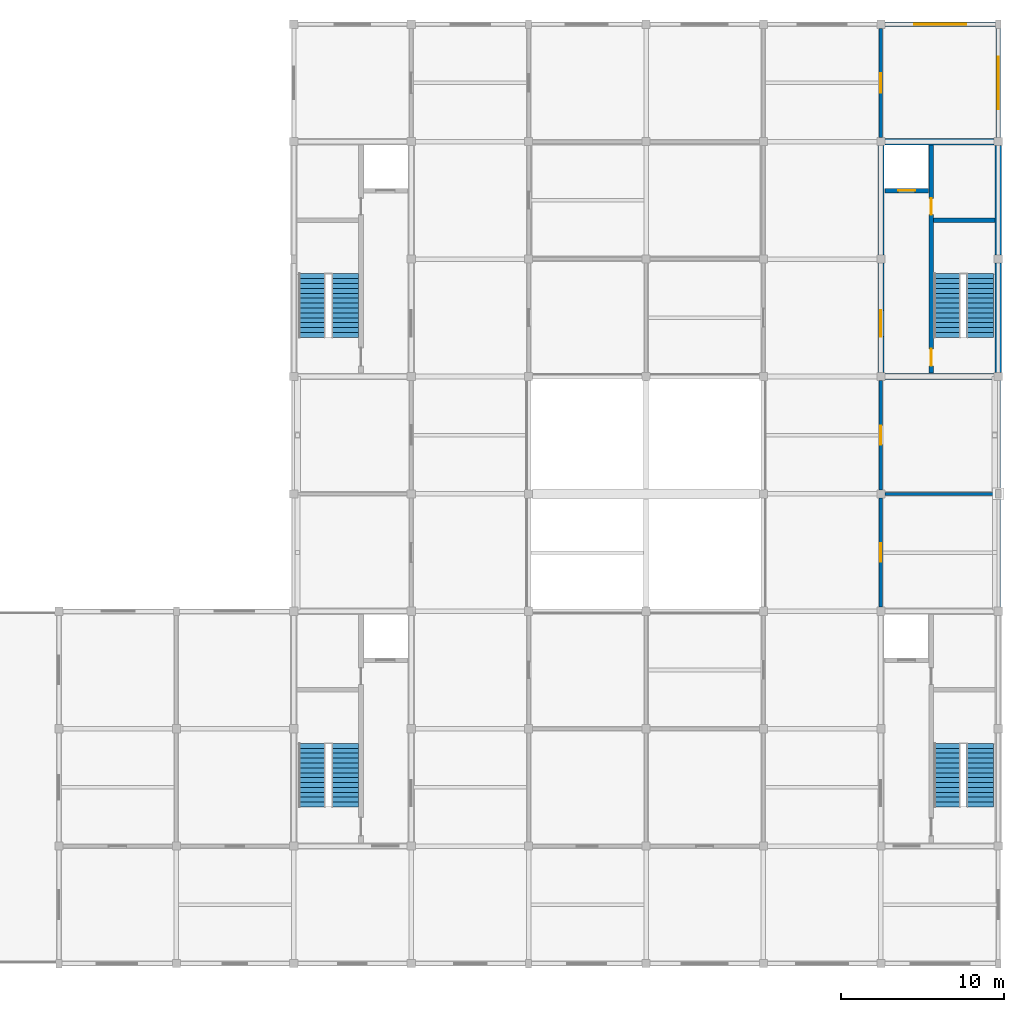
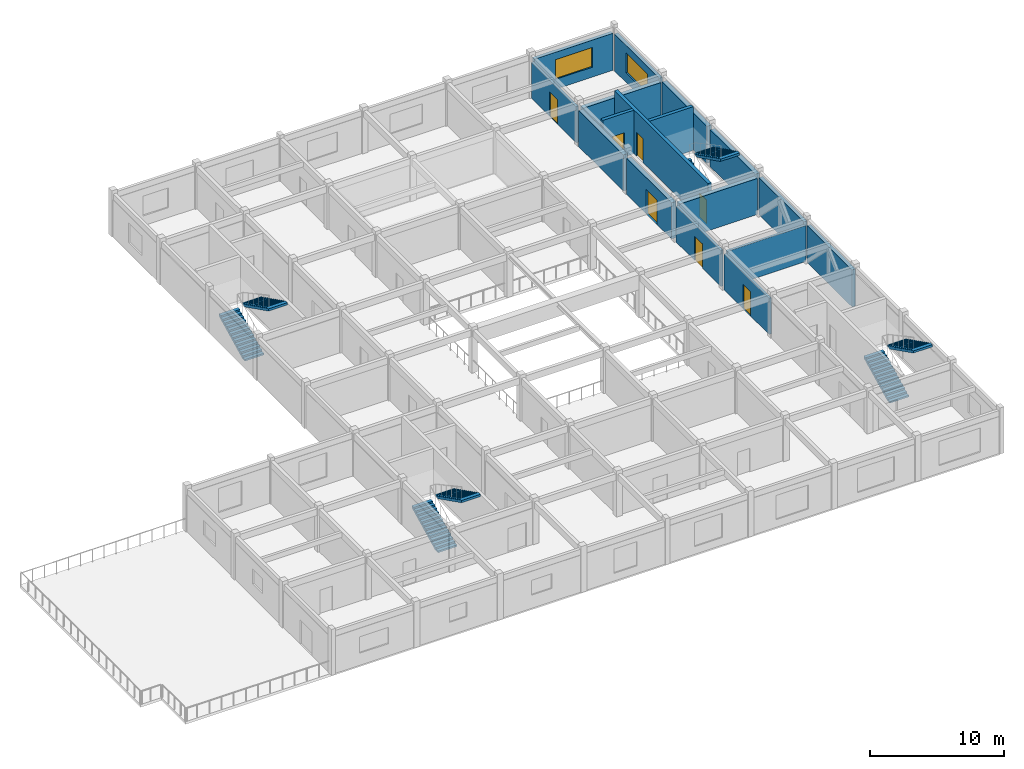
# One storey, part 6 of 7: 17 walls, 8 stair flights, 7 doors, 2 windows, 9 openings, 4 elements without a shape of their own.
"""IFC4 building model written with IfcOpenShell, lengths in metres."""

from ifc_helpers import new_model, si_unit, direction, frame, frame_2d, origin, place, context, subcontext, project, spatial, polyline, rectangle, outline, extrude, material, layer, layer_set, type_object, element, fill, aggregate, save


model = new_model("IFC4")

# Units and contexts
model_context = context("Model", 3, precision=1e-05, world=origin(), true_north=direction((0.0, 1.0)))
body_context = subcontext(model_context, "Body", "Model", "MODEL_VIEW")
ifc_project = project(units=[si_unit("LENGTHUNIT", "METRE"), si_unit("AREAUNIT", "SQUARE_METRE"), si_unit("VOLUMEUNIT", "CUBIC_METRE"), si_unit("PLANEANGLEUNIT", "RADIAN"), si_unit("MASSUNIT", "GRAM", prefix="KILO")], contexts=[model_context])

# Site, building, storey
site_placement = place(None, origin())
site = spatial("IfcSite", under=ifc_project, at=site_placement, CompositionType="ELEMENT")
building_placement = place(site_placement, origin())
building = spatial("IfcBuilding", under=site, at=building_placement, Name="Cendaluz Park School", CompositionType="ELEMENT")
storey_placement = place(building_placement, frame((0.0, 0.0, 46.800048828125)))
storey = spatial("IfcBuildingStorey", under=building, at=storey_placement, Name="L11", CompositionType="ELEMENT", Elevation=46.800048828125)

# Wall
ifc_material_1 = material(Name="Gypsum Plasterboard on Cold-Formed Stud", Category="gypsum")
ifc_layer_1 = layer(ifc_material_1, 0.199951171875)
ifc_layer_set_1 = layer_set([ifc_layer_1], Name="Gypsum Plasterboard on Cold-Formed Stud")
wall_type_1 = type_object("IfcWallType", Name="W-AC20", PredefinedType="PARTITIONING", material=ifc_layer_set_1)
wall_1_placement = place(storey_placement, frame((101.050048828125, 36.0, 0.0), z_axis=(0.0, 0.0, 1.0), x_axis=(1.0, 0.0, 0.0)))
element("IfcWall", 1, at=wall_1_placement, inside=storey, type_object=wall_type_1, Name="WL-FL-BN1", PredefinedType="PARTITIONING", context=body_context, shape_type="SweptSolid", body=[
    extrude(rectangle(XDim=6.77001953125, YDim=0.199951171875, at=frame_2d((3.385009765625, 0.0))), origin(), (0.0, 0.0, 1.0), 3.2900390625),
])

# Wall, opening, door
wall_2_placement = place(storey_placement, frame((100.800048828125, 29.050048828125, 0.0), z_axis=(0.0, 0.0, 1.0), x_axis=(0.0, 1.0, 0.0)))
wall_2 = element("IfcWall", 2, at=wall_2_placement, inside=storey, type_object=wall_type_1, Name="WL-FL-BN2", PredefinedType="PARTITIONING", context=body_context, shape_type="SweptSolid", body=[
    extrude(rectangle(XDim=6.699951171875, YDim=0.199951171875, at=frame_2d((3.35009765625, 0.0))), origin(), (0.0, 0.0, 1.0), 3.2900390625),
])
opening_1_placement = place(wall_2_placement, frame((2.7900390625, 0.0, 0.0)))
opening_1 = element("IfcOpeningElement", 3, at=opening_1_placement, cuts=wall_2, Name="Opening DCL-06", PredefinedType="OPENING", context=body_context, shape_type="SweptSolid", body=[
    extrude(rectangle(XDim=1.1201171875, YDim=2.199951171875, at=frame_2d((0.56005859375, 1.10009765625))), frame((0.0, 0.112060546875, 0.0), z_axis=(0.0, -1.0, 0.0), x_axis=(1.0, 0.0, 0.0)), (0.0, 0.0, 1.0), 0.223876953125),
])
ifc_material_2 = material(Name="Solid Core Hardwood", Category="wood")
door_type_1 = type_object("IfcDoorType", Name="DCL-06", OperationType="NOTDEFINED", PredefinedType="DOOR", material=ifc_material_2)
door_1_placement = place(opening_1_placement, frame((1.1201171875, 0.0, 0.0), z_axis=(0.0, 0.0, 1.0), x_axis=(-1.0, 0.0, 0.0)))
door_1 = element("IfcDoor", 4, at=door_1_placement, inside=storey, type_object=door_type_1, Name="D-L11-033", OperationType="SINGLE_SWING_LEFT", OverallHeight=2.199951171875, OverallWidth=1.1201171875, PredefinedType="DOOR", context=body_context, shape_type="SweptSolid", body=[
    extrude(rectangle(XDim=1.1201171875, YDim=2.199951171875, at=frame_2d((0.56005859375, 1.10009765625))), frame((0.0, 0.02490234375, 0.0), z_axis=(0.0, -1.0, 0.0), x_axis=(1.0, 0.0, 0.0)), (0.0, 0.0, 1.0), 0.050048828125),
])
fill(opening_1, door_1)

wall_3_placement = place(storey_placement, frame((100.800048828125, 36.25, 0.0), z_axis=(0.0, 0.0, 1.0), x_axis=(0.0, 1.0, 0.0)))
wall_3 = element("IfcWall", 5, at=wall_3_placement, inside=storey, type_object=wall_type_1, Name="WL-FL-BN3", PredefinedType="PARTITIONING", context=body_context, shape_type="SweptSolid", body=[
    extrude(rectangle(XDim=6.699951171875, YDim=0.199951171875, at=frame_2d((3.35009765625, 0.0))), origin(), (0.0, 0.0, 1.0), 3.2900390625),
])
opening_2_placement = place(wall_3_placement, frame((2.77001953125, 0.0, 0.0)))
opening_2 = element("IfcOpeningElement", 6, at=opening_2_placement, cuts=wall_3, Name="Opening DCL-07", PredefinedType="OPENING", context=body_context, shape_type="SweptSolid", body=[
    extrude(rectangle(XDim=1.159912109375, YDim=2.219970703125, at=frame_2d((0.580078125, 1.10986328125))), frame((0.0, 0.112060546875, 0.0), z_axis=(0.0, -1.0, 0.0), x_axis=(1.0, 0.0, 0.0)), (0.0, 0.0, 1.0), 0.223876953125),
])
door_type_2 = type_object("IfcDoorType", Name="DCL-07", OperationType="NOTDEFINED", PredefinedType="DOOR", material=ifc_material_2)
door_2_placement = place(opening_2_placement, frame((1.159912109375, 0.0, 0.0), z_axis=(0.0, 0.0, 1.0), x_axis=(-1.0, 0.0, 0.0)))
door_2 = element("IfcDoor", 7, at=door_2_placement, inside=storey, type_object=door_type_2, Name="D-L11-034", OperationType="SINGLE_SWING_RIGHT", OverallHeight=2.219970703125, OverallWidth=1.159912109375, PredefinedType="DOOR", context=body_context, shape_type="SweptSolid", body=[
    extrude(rectangle(XDim=1.159912109375, YDim=2.219970703125, at=frame_2d((0.580078125, 1.10986328125))), frame((0.0, 0.02490234375, 0.0), z_axis=(0.0, -1.0, 0.0), x_axis=(1.0, 0.0, 0.0)), (0.0, 0.0, 1.0), 0.050048828125),
])
fill(opening_2, door_2)

wall_4_placement = place(storey_placement, frame((100.800048828125, 57.85009765625, 0.0), z_axis=(0.0, 0.0, 1.0), x_axis=(0.0, 1.0, 0.0)))
wall_4 = element("IfcWall", 8, at=wall_4_placement, inside=storey, type_object=wall_type_1, Name="WL-FL-BN4", PredefinedType="PARTITIONING", context=body_context, shape_type="SweptSolid", body=[
    extrude(rectangle(XDim=6.699951171875, YDim=0.199951171875, at=frame_2d((3.35009765625, 0.0))), origin(), (0.0, 0.0, 1.0), 3.2900390625),
])
opening_3_placement = place(wall_4_placement, frame((2.75, 0.0, 0.0)))
opening_3 = element("IfcOpeningElement", 9, at=opening_3_placement, cuts=wall_4, Name="Opening DCL-08", PredefinedType="OPENING", context=body_context, shape_type="SweptSolid", body=[
    extrude(rectangle(XDim=1.199951171875, YDim=2.239990234375, at=frame_2d((0.60009765625, 1.1201171875))), frame((0.0, 0.112060546875, 0.0), z_axis=(0.0, -1.0, 0.0), x_axis=(1.0, 0.0, 0.0)), (0.0, 0.0, 1.0), 0.223876953125),
])
door_type_3 = type_object("IfcDoorType", Name="DCL-08", OperationType="NOTDEFINED", PredefinedType="DOOR", material=ifc_material_2)
door_3_placement = place(opening_3_placement, frame((1.199951171875, 0.0, 0.0), z_axis=(0.0, 0.0, 1.0), x_axis=(-1.0, 0.0, 0.0)))
door_3 = element("IfcDoor", 10, at=door_3_placement, inside=storey, type_object=door_type_3, Name="D-L11-035", OperationType="SINGLE_SWING_LEFT", OverallHeight=2.239990234375, OverallWidth=1.199951171875, PredefinedType="DOOR", context=body_context, shape_type="SweptSolid", body=[
    extrude(rectangle(XDim=1.199951171875, YDim=2.239990234375, at=frame_2d((0.60009765625, 1.1201171875))), frame((0.0, 0.02490234375, 0.0), z_axis=(0.0, -1.0, 0.0), x_axis=(1.0, 0.0, 0.0)), (0.0, 0.0, 1.0), 0.050048828125),
])
fill(opening_3, door_3)

# Walls
ifc_material_3 = material(Name="Cross-laminated timber CLT C24", Category="wood")
ifc_layer_2 = layer(ifc_material_3, 0.300048828125)
ifc_layer_set_2 = layer_set([ifc_layer_2], Name="Cross-laminated timber CLT C24")
wall_type_2 = type_object("IfcWallType", Name="W-EX30", PredefinedType="SOLIDWALL", material=ifc_layer_set_2)
for number, where, z_axis, x_axis, name in (
    (11, (108.0, 29.050048828125, 0.0), (0.0, 0.0, 1.0), (0.0, 1.0, 0.0), "WL-FL-AC2"),
    (12, (108.0, 36.260009765625, 0.0), (0.0, 0.0, 1.0), (0.0, 1.0, 0.0), "WL-FL-AC3"),
):
    element("IfcWall", number, at=place(storey_placement, frame(where, z_axis=z_axis, x_axis=x_axis)), inside=storey, type_object=wall_type_2, Name=name, PredefinedType="SOLIDWALL", context=body_context, shape_type="SweptSolid", body=[
        extrude(rectangle(XDim=6.68994140625, YDim=0.300048828125, at=frame_2d((3.344970703125, 0.0))), origin(), (0.0, 0.0, 1.0), 3.369873046875),
    ])

# Wall, opening, window
wall_5_placement = place(storey_placement, frame((101.050048828125, 64.800048828125, 0.0), z_axis=(0.0, 0.0, 1.0), x_axis=(1.0, 0.0, 0.0)))
wall_5 = element("IfcWall", 13, at=wall_5_placement, inside=storey, type_object=wall_type_2, Name="WL-FL-AC4", PredefinedType="SOLIDWALL", context=body_context, shape_type="SweptSolid", body=[
    extrude(rectangle(XDim=6.77001953125, YDim=0.300048828125, at=frame_2d((3.385009765625, 0.0))), origin(), (0.0, 0.0, 1.0), 3.369873046875),
])
opening_4_placement = place(wall_5_placement, frame((1.784912109375, 0.0, 0.89990234375)))
opening_4 = element("IfcOpeningElement", 14, at=opening_4_placement, cuts=wall_5, Name="Opening WN-08", PredefinedType="OPENING", context=body_context, shape_type="SweptSolid", body=[
    extrude(rectangle(XDim=3.199951171875, YDim=1.800048828125, at=frame_2d((1.60009765625, 0.89990234375))), frame((0.0, 0.162109375, 0.0), z_axis=(0.0, -1.0, 0.0), x_axis=(1.0, 0.0, 0.0)), (0.0, 0.0, 1.0), 0.323974609375),
])
ifc_material_4 = material(Name="Tempered Low-E Double Glazing", Category="glass")
window_type = type_object("IfcWindowType", Name="WN-08", PartitioningType="SINGLE_PANEL", PredefinedType="WINDOW", material=ifc_material_4)
window_1_placement = place(opening_4_placement, origin())
window_1 = element("IfcWindow", 15, at=window_1_placement, inside=storey, type_object=window_type, Name="WN-L11-020", OverallHeight=1.800048828125, OverallWidth=3.199951171875, PartitioningType="SINGLE_PANEL", PredefinedType="WINDOW", context=body_context, shape_type="SweptSolid", body=[
    extrude(rectangle(XDim=3.199951171875, YDim=1.800048828125, at=frame_2d((1.60009765625, 0.89990234375))), frame((0.0, 0.030029296875, 0.0), z_axis=(0.0, -1.0, 0.0), x_axis=(1.0, 0.0, 0.0)), (0.0, 0.0, 1.0), 0.06005859375),
])
fill(opening_4, window_1)

wall_6_placement = place(storey_placement, frame((108.0, 57.85009765625, 0.0), z_axis=(0.0, 0.0, 1.0), x_axis=(0.0, 1.0, 0.0)))
wall_6 = element("IfcWall", 16, at=wall_6_placement, inside=storey, type_object=wall_type_2, Name="WL-FL-AC5", PredefinedType="SOLIDWALL", context=body_context, shape_type="SweptSolid", body=[
    extrude(rectangle(XDim=6.68994140625, YDim=0.300048828125, at=frame_2d((3.344970703125, 0.0))), origin(), (0.0, 0.0, 1.0), 3.369873046875),
])
opening_5_placement = place(wall_6_placement, frame((1.7451171875, 0.0, 0.89990234375)))
opening_5 = element("IfcOpeningElement", 17, at=opening_5_placement, cuts=wall_6, Name="Opening WN-08", PredefinedType="OPENING", context=body_context, shape_type="SweptSolid", body=[
    extrude(rectangle(XDim=3.199951171875, YDim=1.800048828125, at=frame_2d((1.60009765625, 0.89990234375))), frame((0.0, 0.162109375, 0.0), z_axis=(0.0, -1.0, 0.0), x_axis=(1.0, 0.0, 0.0)), (0.0, 0.0, 1.0), 0.323974609375),
])
window_2_placement = place(opening_5_placement, origin())
window_2 = element("IfcWindow", 18, at=window_2_placement, inside=storey, type_object=window_type, Name="WN-L11-021", OverallHeight=1.800048828125, OverallWidth=3.199951171875, PartitioningType="SINGLE_PANEL", PredefinedType="WINDOW", context=body_context, shape_type="SweptSolid", body=[
    extrude(rectangle(XDim=3.199951171875, YDim=1.800048828125, at=frame_2d((1.60009765625, 0.89990234375))), frame((0.0, 0.030029296875, 0.0), z_axis=(0.0, -1.0, 0.0), x_axis=(1.0, 0.0, 0.0)), (0.0, 0.0, 1.0), 0.06005859375),
])
fill(opening_5, window_2)

# Wall, openings, doors
ifc_material_5 = material(Name="Concrete C40/50", Category="concrete")
ifc_layer_3 = layer(ifc_material_5, 0.280029296875)
ifc_layer_set_3 = layer_set([ifc_layer_3], Name="Concrete C40/50")
wall_type_3 = type_object("IfcWallType", Name="W-FW28", PredefinedType="SHEAR", material=ifc_layer_set_3)
wall_7_placement = place(storey_placement, frame((103.8798828125, 43.39990234375, 0.0), z_axis=(0.0, 0.0, 1.0), x_axis=(0.0, 1.0, 0.0)))
wall_7 = element("IfcWall", 19, at=wall_7_placement, inside=storey, type_object=wall_type_3, Name="WL-FL-BJ9", PredefinedType="SHEAR", context=body_context, shape_type="SweptSolid", body=[
    extrude(rectangle(XDim=14.0, YDim=0.280029296875, at=frame_2d((7.0, 0.0))), origin(), (0.0, 0.0, 1.0), 3.969970703125),
])
opening_6_placement = place(wall_7_placement, frame((0.449951171875, 0.0, 0.0)))
opening_6 = element("IfcOpeningElement", 20, at=opening_6_placement, cuts=wall_7, Name="Opening DST-02", PredefinedType="OPENING", context=body_context, shape_type="SweptSolid", body=[
    extrude(rectangle(XDim=1.050048828125, YDim=2.14990234375, at=frame_2d((0.52490234375, 1.074951171875))), frame((0.0, 0.152099609375, 0.0), z_axis=(0.0, -1.0, 0.0), x_axis=(1.0, 0.0, 0.0)), (0.0, 0.0, 1.0), 0.303955078125),
])
opening_7_placement = place(wall_7_placement, frame((9.719970703125, 0.0, 0.0)))
opening_7 = element("IfcOpeningElement", 21, at=opening_7_placement, cuts=wall_7, Name="Opening DFC-01", PredefinedType="OPENING", context=body_context, shape_type="SweptSolid", body=[
    extrude(rectangle(XDim=1.0, YDim=2.14990234375, at=frame_2d((0.5, 1.074951171875))), frame((0.0, 0.152099609375, 0.0), z_axis=(0.0, -1.0, 0.0), x_axis=(1.0, 0.0, 0.0)), (0.0, 0.0, 1.0), 0.303955078125),
])
door_type_4 = type_object("IfcDoorType", Name="DFC-01", OperationType="NOTDEFINED", PredefinedType="DOOR", material=ifc_material_2)
door_4_placement = place(opening_7_placement, frame((1.0, 0.0, 0.0), z_axis=(0.0, 0.0, 1.0), x_axis=(-1.0, 0.0, 0.0)))
door_4 = element("IfcDoor", 22, at=door_4_placement, inside=storey, type_object=door_type_4, Name="D-L11-018", OperationType="SINGLE_SWING_LEFT", OverallHeight=2.14990234375, OverallWidth=1.0, PredefinedType="DOOR", context=body_context, shape_type="SweptSolid", body=[
    extrude(rectangle(XDim=1.0, YDim=2.14990234375, at=frame_2d((0.5, 1.074951171875))), frame((0.0, 0.02490234375, 0.0), z_axis=(0.0, -1.0, 0.0), x_axis=(1.0, 0.0, 0.0)), (0.0, 0.0, 1.0), 0.050048828125),
])
fill(opening_7, door_4)
door_type_5 = type_object("IfcDoorType", Name="DST-02", OperationType="NOTDEFINED", PredefinedType="DOOR", material=ifc_material_2)
door_5_placement = place(opening_6_placement, frame((1.050048828125, 0.0, 0.0), z_axis=(0.0, 0.0, 1.0), x_axis=(-1.0, 0.0, 0.0)))
door_5 = element("IfcDoor", 23, at=door_5_placement, inside=storey, type_object=door_type_5, Name="D-L11-017", OperationType="SINGLE_SWING_RIGHT", OverallHeight=2.14990234375, OverallWidth=1.050048828125, PredefinedType="DOOR", context=body_context, shape_type="SweptSolid", body=[
    extrude(rectangle(XDim=1.050048828125, YDim=2.14990234375, at=frame_2d((0.52490234375, 1.074951171875))), frame((0.0, 0.02490234375, 0.0), z_axis=(0.0, -1.0, 0.0), x_axis=(1.0, 0.0, 0.0)), (0.0, 0.0, 1.0), 0.050048828125),
])
fill(opening_6, door_5)

# Wall
wall_8_placement = place(storey_placement, frame((104.02001953125, 52.780029296875, 0.0), z_axis=(0.0, 0.0, 1.0), x_axis=(1.0, 0.0, 0.0)))
element("IfcWall", 24, at=wall_8_placement, inside=storey, type_object=wall_type_3, Name="WL-FL-BK0", PredefinedType="SHEAR", context=body_context, shape_type="SweptSolid", body=[
    extrude(rectangle(XDim=3.780029296875, YDim=0.280029296875, at=frame_2d((1.89013671875, 0.0))), origin(), (0.0, 0.0, 1.0), 3.969970703125),
])

# Wall, opening, door
wall_9_placement = place(storey_placement, frame((101.0400390625, 54.60009765625, 0.0), z_axis=(0.0, 0.0, 1.0), x_axis=(1.0, 0.0, 0.0)))
wall_9 = element("IfcWall", 25, at=wall_9_placement, inside=storey, type_object=wall_type_3, Name="WL-FL-BK1", PredefinedType="SHEAR", context=body_context, shape_type="SweptSolid", body=[
    extrude(rectangle(XDim=2.679931640625, YDim=0.280029296875, at=frame_2d((1.33984375, 0.0))), origin(), (0.0, 0.0, 1.0), 3.969970703125),
])
opening_8_placement = place(wall_9_placement, frame((0.81494140625, 0.0, 0.0)))
opening_8 = element("IfcOpeningElement", 26, at=opening_8_placement, cuts=wall_9, Name="Opening LD-02", PredefinedType="OPENING", context=body_context, shape_type="SweptSolid", body=[
    extrude(rectangle(XDim=1.050048828125, YDim=2.199951171875, at=frame_2d((0.52490234375, 1.10009765625))), frame((0.0, 0.152099609375, 0.0), z_axis=(0.0, -1.0, 0.0), x_axis=(1.0, 0.0, 0.0)), (0.0, 0.0, 1.0), 0.303955078125),
])
ifc_material_6 = material(Name="Stainless Steel 316L", Category="steel")
door_type_6 = type_object("IfcDoorType", Name="LD-02", OperationType="DOUBLE_DOOR_SLIDING", PredefinedType="DOOR", material=ifc_material_6)
door_6_placement = place(opening_8_placement, frame((1.050048828125, 0.0, 0.0), z_axis=(0.0, 0.0, 1.0), x_axis=(-1.0, 0.0, 0.0)))
door_6 = element("IfcDoor", 27, at=door_6_placement, inside=storey, type_object=door_type_6, Name="D-L11-019", OperationType="DOUBLE_DOOR_SLIDING", OverallHeight=2.199951171875, OverallWidth=1.050048828125, PredefinedType="DOOR", context=body_context, shape_type="SweptSolid", body=[
    extrude(rectangle(XDim=1.050048828125, YDim=2.199951171875, at=frame_2d((0.52490234375, 1.10009765625))), frame((0.0, 0.02490234375, 0.0), z_axis=(0.0, -1.0, 0.0), x_axis=(1.0, 0.0, 0.0)), (0.0, 0.0, 1.0), 0.050048828125),
])
fill(opening_8, door_6)

ifc_layer_4 = layer(ifc_material_5, 0.3798828125)
ifc_layer_set_4 = layer_set([ifc_layer_4], Name="Concrete C40/50")
wall_type_4 = type_object("IfcWallType", Name="W-SH38", PredefinedType="SHEAR", material=ifc_layer_set_4)
wall_10_placement = place(storey_placement, frame((100.800048828125, 43.449951171875, 0.0), z_axis=(0.0, 0.0, 1.0), x_axis=(0.0, 1.0, 0.0)))
wall_10 = element("IfcWall", 28, at=wall_10_placement, inside=storey, type_object=wall_type_4, Name="WL-FL-BJ3", PredefinedType="SHEAR", context=body_context, shape_type="SweptSolid", body=[
    extrude(rectangle(XDim=6.699951171875, YDim=0.3798828125, at=frame_2d((3.35009765625, 0.0))), origin(), (0.0, 0.0, 1.0), 3.2900390625),
])
opening_9_placement = place(wall_10_placement, frame((2.199951171875, 0.0, 0.0)))
opening_9 = element("IfcOpeningElement", 29, at=opening_9_placement, cuts=wall_10, Name="Opening DLB-01", PredefinedType="OPENING", context=body_context, shape_type="SweptSolid", body=[
    extrude(rectangle(XDim=1.60009765625, YDim=2.199951171875, at=frame_2d((0.800048828125, 1.10009765625))), frame((0.0, 0.201904296875, 0.0), z_axis=(0.0, -1.0, 0.0), x_axis=(1.0, 0.0, 0.0)), (0.0, 0.0, 1.0), 0.40380859375),
])
door_type_7 = type_object("IfcDoorType", Name="DLB-01", OperationType="DOUBLE_DOOR_SINGLE_SWING", PredefinedType="DOOR", material=ifc_material_2)
door_7_placement = place(opening_9_placement, frame((1.60009765625, 0.0, 0.0), z_axis=(0.0, 0.0, 1.0), x_axis=(-1.0, 0.0, 0.0)))
door_7 = element("IfcDoor", 30, at=door_7_placement, inside=storey, type_object=door_type_7, Name="D-L11-016", OperationType="DOUBLE_DOOR_SINGLE_SWING", OverallHeight=2.199951171875, OverallWidth=1.60009765625, PredefinedType="DOOR", context=body_context, shape_type="SweptSolid", body=[
    extrude(rectangle(XDim=1.60009765625, YDim=2.199951171875, at=frame_2d((0.800048828125, 1.10009765625))), frame((0.0, 0.02490234375, 0.0), z_axis=(0.0, -1.0, 0.0), x_axis=(1.0, 0.0, 0.0)), (0.0, 0.0, 1.0), 0.050048828125),
])
fill(opening_9, door_7)

# Walls
wall_11_placement = place(storey_placement, frame((100.800048828125, 50.64990234375, 0.0), z_axis=(0.0, 0.0, 1.0), x_axis=(0.0, 1.0, 0.0)))
element("IfcWall", 31, at=wall_11_placement, inside=storey, type_object=wall_type_4, Name="WL-FL-BJ4", PredefinedType="SHEAR", context=body_context, shape_type="SweptSolid", body=[
    extrude(rectangle(XDim=6.7001953125, YDim=0.3798828125, at=frame_2d((3.35009765625, 0.0))), origin(), (0.0, 0.0, 1.0), 3.2900390625),
])
wall_12_placement = place(storey_placement, frame((108.0, 43.449951171875, 0.0), z_axis=(0.0, 0.0, 1.0), x_axis=(0.0, 1.0, 0.0)))
element("IfcWall", 32, at=wall_12_placement, inside=storey, type_object=wall_type_4, Name="WL-FL-BJ5", PredefinedType="SHEAR", context=body_context, shape_type="SweptSolid", body=[
    extrude(rectangle(XDim=6.699951171875, YDim=0.3798828125, at=frame_2d((3.35009765625, 0.0))), origin(), (0.0, 0.0, 1.0), 3.369873046875),
])
wall_13_placement = place(storey_placement, frame((108.0, 50.64990234375, 0.0), z_axis=(0.0, 0.0, 1.0), x_axis=(0.0, 1.0, 0.0)))
element("IfcWall", 33, at=wall_13_placement, inside=storey, type_object=wall_type_4, Name="WL-FL-BJ6", PredefinedType="SHEAR", context=body_context, shape_type="SweptSolid", body=[
    extrude(rectangle(XDim=6.7001953125, YDim=0.3798828125, at=frame_2d((3.35009765625, 0.0))), origin(), (0.0, 0.0, 1.0), 3.369873046875),
])
for number, where, z_axis, x_axis, name in (
    (34, (101.050048828125, 43.199951171875, 0.0), (0.0, 0.0, 1.0), (1.0, 0.0, 0.0), "WL-FL-BJ7"),
    (35, (101.050048828125, 57.60009765625, 0.0), (0.0, 0.0, 1.0), (1.0, 0.0, 0.0), "WL-FL-BJ8"),
):
    element("IfcWall", number, at=place(storey_placement, frame(where, z_axis=z_axis, x_axis=x_axis)), inside=storey, type_object=wall_type_4, Name=name, PredefinedType="SHEAR", context=body_context, shape_type="SweptSolid", body=[
        extrude(rectangle(XDim=6.699951171875, YDim=0.3798828125, at=frame_2d((3.35009765625, 0.0))), origin(), (0.0, 0.0, 1.0), 3.2900390625),
    ])

# Stair, stair flights
stair_type = type_object("IfcStairType", Name="ST-420-165", PredefinedType="HALF_TURN_STAIR", material=ifc_material_3)
stair_1_placement = place(storey_placement, origin())
stair_1 = element("IfcStair", 36, at=stair_1_placement, inside=storey, type_object=stair_type, Name="ST-L11-C1", PredefinedType="HALF_TURN_STAIR")
stair_flight_type = type_object("IfcStairFlightType", Name="SF-14-150-165", PredefinedType="STRAIGHT", material=ifc_material_3)
stair_flight_1_placement = place(storey_placement, frame((65.9150390625, 16.800048828125, 0.0), z_axis=(0.0, 0.0, 1.0), x_axis=(0.0, 1.0, 0.0)))
stair_flight_1 = element("IfcStairFlight", 37, at=stair_flight_1_placement, type_object=stair_flight_type, Name="SF-L11-C1-1", NumberOfRisers=14, NumberOfTreads=13, PredefinedType="STRAIGHT", RiserHeight=0.15, TreadLength=0.3, context=body_context, shape_type="SweptSolid", body=[
    extrude(outline(polyline([(0.0, 0.0), (0.0, 0.14990234375), (0.300048828125, 0.14990234375), (0.300048828125, 0.300048828125), (0.60009765625, 0.300048828125), (0.60009765625, 0.449951171875), (0.89990234375, 0.449951171875), (0.89990234375, 0.60009765625), (1.199951171875, 0.60009765625), (1.199951171875, 0.75), (1.5, 0.75), (1.5, 0.89990234375), (1.800048828125, 0.89990234375), (1.800048828125, 1.050048828125), (2.10009765625, 1.050048828125), (2.10009765625, 1.199951171875), (2.39990234375, 1.199951171875), (2.39990234375, 1.35009765625), (2.699951171875, 1.35009765625), (2.699951171875, 1.5), (3.0, 1.5), (3.0, 1.64990234375), (3.300048828125, 1.64990234375), (3.300048828125, 1.800048828125), (3.60009765625, 1.800048828125), (3.60009765625, 1.949951171875), (3.89990234375, 1.949951171875), (3.89990234375, 2.10009765625), (3.89990234375, 1.748779296875), (0.40234375, 0.0), (0.0, 0.0)])), frame((0.0, 0.824951171875, 0.0), z_axis=(0.0, -1.0, 0.0), x_axis=(1.0, 0.0, 0.0)), (0.0, 0.0, 1.0), 1.64990234375),
])
stair_flight_2_placement = place(storey_placement, frame((67.93505859375, 20.699951171875, 2.099853515625), z_axis=(0.0, 0.0, 1.0), x_axis=(0.0, -1.0, 0.0)))
stair_flight_2 = element("IfcStairFlight", 38, at=stair_flight_2_placement, type_object=stair_flight_type, Name="SF-L11-C1-2", NumberOfRisers=14, NumberOfTreads=13, PredefinedType="STRAIGHT", RiserHeight=0.15, TreadLength=0.3, context=body_context, shape_type="SweptSolid", body=[
    extrude(outline(polyline([(0.0, 0.0), (0.0, 0.14990234375), (0.300048828125, 0.14990234375), (0.300048828125, 0.300048828125), (0.60009765625, 0.300048828125), (0.60009765625, 0.449951171875), (0.89990234375, 0.449951171875), (0.89990234375, 0.60009765625), (1.199951171875, 0.60009765625), (1.199951171875, 0.75), (1.5, 0.75), (1.5, 0.89990234375), (1.800048828125, 0.89990234375), (1.800048828125, 1.050048828125), (2.10009765625, 1.050048828125), (2.10009765625, 1.199951171875), (2.39990234375, 1.199951171875), (2.39990234375, 1.35009765625), (2.699951171875, 1.35009765625), (2.699951171875, 1.5), (3.0, 1.5), (3.0, 1.64990234375), (3.300048828125, 1.64990234375), (3.300048828125, 1.800048828125), (3.60009765625, 1.800048828125), (3.60009765625, 1.949951171875), (3.89990234375, 1.949951171875), (3.89990234375, 2.10009765625), (3.89990234375, 1.748779296875), (0.40234375, 0.0), (0.0, 0.0)])), frame((0.0, 0.824951171875, 0.0), z_axis=(0.0, -1.0, 0.0), x_axis=(1.0, 0.0, 0.0)), (0.0, 0.0, 1.0), 1.64990234375),
])
aggregate(stair_1, [stair_flight_1, stair_flight_2])

stair_2_placement = place(storey_placement, origin())
stair_2 = element("IfcStair", 39, at=stair_2_placement, inside=storey, type_object=stair_type, Name="ST-L11-C2", PredefinedType="HALF_TURN_STAIR")
stair_flight_3_placement = place(storey_placement, frame((104.864990234375, 16.800048828125, 0.0), z_axis=(0.0, 0.0, 1.0), x_axis=(0.0, 1.0, 0.0)))
stair_flight_3 = element("IfcStairFlight", 40, at=stair_flight_3_placement, type_object=stair_flight_type, Name="SF-L11-C2-1", NumberOfRisers=14, NumberOfTreads=13, PredefinedType="STRAIGHT", RiserHeight=0.15, TreadLength=0.3, context=body_context, shape_type="SweptSolid", body=[
    extrude(outline(polyline([(0.0, 0.0), (0.0, 0.14990234375), (0.300048828125, 0.14990234375), (0.300048828125, 0.300048828125), (0.60009765625, 0.300048828125), (0.60009765625, 0.449951171875), (0.89990234375, 0.449951171875), (0.89990234375, 0.60009765625), (1.199951171875, 0.60009765625), (1.199951171875, 0.75), (1.5, 0.75), (1.5, 0.89990234375), (1.800048828125, 0.89990234375), (1.800048828125, 1.050048828125), (2.10009765625, 1.050048828125), (2.10009765625, 1.199951171875), (2.39990234375, 1.199951171875), (2.39990234375, 1.35009765625), (2.699951171875, 1.35009765625), (2.699951171875, 1.5), (3.0, 1.5), (3.0, 1.64990234375), (3.300048828125, 1.64990234375), (3.300048828125, 1.800048828125), (3.60009765625, 1.800048828125), (3.60009765625, 1.949951171875), (3.89990234375, 1.949951171875), (3.89990234375, 2.10009765625), (3.89990234375, 1.748779296875), (0.40234375, 0.0), (0.0, 0.0)])), frame((0.0, 0.824951171875, 0.0), z_axis=(0.0, -1.0, 0.0), x_axis=(1.0, 0.0, 0.0)), (0.0, 0.0, 1.0), 1.64990234375),
])
stair_flight_4_placement = place(storey_placement, frame((106.885009765625, 20.699951171875, 2.099853515625), z_axis=(0.0, 0.0, 1.0), x_axis=(0.0, -1.0, 0.0)))
stair_flight_4 = element("IfcStairFlight", 41, at=stair_flight_4_placement, type_object=stair_flight_type, Name="SF-L11-C2-2", NumberOfRisers=14, NumberOfTreads=13, PredefinedType="STRAIGHT", RiserHeight=0.15, TreadLength=0.3, context=body_context, shape_type="SweptSolid", body=[
    extrude(outline(polyline([(0.0, 0.0), (0.0, 0.14990234375), (0.300048828125, 0.14990234375), (0.300048828125, 0.300048828125), (0.60009765625, 0.300048828125), (0.60009765625, 0.449951171875), (0.89990234375, 0.449951171875), (0.89990234375, 0.60009765625), (1.199951171875, 0.60009765625), (1.199951171875, 0.75), (1.5, 0.75), (1.5, 0.89990234375), (1.800048828125, 0.89990234375), (1.800048828125, 1.050048828125), (2.10009765625, 1.050048828125), (2.10009765625, 1.199951171875), (2.39990234375, 1.199951171875), (2.39990234375, 1.35009765625), (2.699951171875, 1.35009765625), (2.699951171875, 1.5), (3.0, 1.5), (3.0, 1.64990234375), (3.300048828125, 1.64990234375), (3.300048828125, 1.800048828125), (3.60009765625, 1.800048828125), (3.60009765625, 1.949951171875), (3.89990234375, 1.949951171875), (3.89990234375, 2.10009765625), (3.89990234375, 1.748779296875), (0.40234375, 0.0), (0.0, 0.0)])), frame((0.0, 0.824951171875, 0.0), z_axis=(0.0, -1.0, 0.0), x_axis=(1.0, 0.0, 0.0)), (0.0, 0.0, 1.0), 1.64990234375),
])
aggregate(stair_2, [stair_flight_3, stair_flight_4])

stair_3_placement = place(storey_placement, origin())
stair_3 = element("IfcStair", 42, at=stair_3_placement, inside=storey, type_object=stair_type, Name="ST-L11-C3", PredefinedType="HALF_TURN_STAIR")
stair_flight_5_placement = place(storey_placement, frame((65.9150390625, 45.60009765625, 0.0), z_axis=(0.0, 0.0, 1.0), x_axis=(0.0, 1.0, 0.0)))
stair_flight_5 = element("IfcStairFlight", 43, at=stair_flight_5_placement, type_object=stair_flight_type, Name="SF-L11-C3-1", NumberOfRisers=14, NumberOfTreads=13, PredefinedType="STRAIGHT", RiserHeight=0.15, TreadLength=0.3, context=body_context, shape_type="SweptSolid", body=[
    extrude(outline(polyline([(0.0, 0.0), (0.0, 0.14990234375), (0.300048828125, 0.14990234375), (0.300048828125, 0.300048828125), (0.60009765625, 0.300048828125), (0.60009765625, 0.449951171875), (0.89990234375, 0.449951171875), (0.89990234375, 0.60009765625), (1.199951171875, 0.60009765625), (1.199951171875, 0.75), (1.5, 0.75), (1.5, 0.89990234375), (1.800048828125, 0.89990234375), (1.800048828125, 1.050048828125), (2.10009765625, 1.050048828125), (2.10009765625, 1.199951171875), (2.39990234375, 1.199951171875), (2.39990234375, 1.35009765625), (2.699951171875, 1.35009765625), (2.699951171875, 1.5), (3.0, 1.5), (3.0, 1.64990234375), (3.300048828125, 1.64990234375), (3.300048828125, 1.800048828125), (3.60009765625, 1.800048828125), (3.60009765625, 1.949951171875), (3.89990234375, 1.949951171875), (3.89990234375, 2.10009765625), (3.89990234375, 1.748779296875), (0.40234375, 0.0), (0.0, 0.0)])), frame((0.0, 0.824951171875, 0.0), z_axis=(0.0, -1.0, 0.0), x_axis=(1.0, 0.0, 0.0)), (0.0, 0.0, 1.0), 1.64990234375),
])
stair_flight_6_placement = place(storey_placement, frame((67.93505859375, 49.5, 2.099853515625), z_axis=(0.0, 0.0, 1.0), x_axis=(0.0, -1.0, 0.0)))
stair_flight_6 = element("IfcStairFlight", 44, at=stair_flight_6_placement, type_object=stair_flight_type, Name="SF-L11-C3-2", NumberOfRisers=14, NumberOfTreads=13, PredefinedType="STRAIGHT", RiserHeight=0.15, TreadLength=0.3, context=body_context, shape_type="SweptSolid", body=[
    extrude(outline(polyline([(0.0, 0.0), (0.0, 0.14990234375), (0.300048828125, 0.14990234375), (0.300048828125, 0.300048828125), (0.60009765625, 0.300048828125), (0.60009765625, 0.449951171875), (0.89990234375, 0.449951171875), (0.89990234375, 0.60009765625), (1.199951171875, 0.60009765625), (1.199951171875, 0.75), (1.5, 0.75), (1.5, 0.89990234375), (1.800048828125, 0.89990234375), (1.800048828125, 1.050048828125), (2.10009765625, 1.050048828125), (2.10009765625, 1.199951171875), (2.39990234375, 1.199951171875), (2.39990234375, 1.35009765625), (2.699951171875, 1.35009765625), (2.699951171875, 1.5), (3.0, 1.5), (3.0, 1.64990234375), (3.300048828125, 1.64990234375), (3.300048828125, 1.800048828125), (3.60009765625, 1.800048828125), (3.60009765625, 1.949951171875), (3.89990234375, 1.949951171875), (3.89990234375, 2.10009765625), (3.89990234375, 1.748779296875), (0.40234375, 0.0), (0.0, 0.0)])), frame((0.0, 0.824951171875, 0.0), z_axis=(0.0, -1.0, 0.0), x_axis=(1.0, 0.0, 0.0)), (0.0, 0.0, 1.0), 1.64990234375),
])
aggregate(stair_3, [stair_flight_5, stair_flight_6])

stair_4_placement = place(storey_placement, origin())
stair_4 = element("IfcStair", 45, at=stair_4_placement, inside=storey, type_object=stair_type, Name="ST-L11-C4", PredefinedType="HALF_TURN_STAIR")
stair_flight_7_placement = place(storey_placement, frame((104.864990234375, 45.60009765625, 0.0), z_axis=(0.0, 0.0, 1.0), x_axis=(0.0, 1.0, 0.0)))
stair_flight_7 = element("IfcStairFlight", 46, at=stair_flight_7_placement, type_object=stair_flight_type, Name="SF-L11-C4-1", NumberOfRisers=14, NumberOfTreads=13, PredefinedType="STRAIGHT", RiserHeight=0.15, TreadLength=0.3, context=body_context, shape_type="SweptSolid", body=[
    extrude(outline(polyline([(0.0, 0.0), (0.0, 0.14990234375), (0.300048828125, 0.14990234375), (0.300048828125, 0.300048828125), (0.60009765625, 0.300048828125), (0.60009765625, 0.449951171875), (0.89990234375, 0.449951171875), (0.89990234375, 0.60009765625), (1.199951171875, 0.60009765625), (1.199951171875, 0.75), (1.5, 0.75), (1.5, 0.89990234375), (1.800048828125, 0.89990234375), (1.800048828125, 1.050048828125), (2.10009765625, 1.050048828125), (2.10009765625, 1.199951171875), (2.39990234375, 1.199951171875), (2.39990234375, 1.35009765625), (2.699951171875, 1.35009765625), (2.699951171875, 1.5), (3.0, 1.5), (3.0, 1.64990234375), (3.300048828125, 1.64990234375), (3.300048828125, 1.800048828125), (3.60009765625, 1.800048828125), (3.60009765625, 1.949951171875), (3.89990234375, 1.949951171875), (3.89990234375, 2.10009765625), (3.89990234375, 1.748779296875), (0.40234375, 0.0), (0.0, 0.0)])), frame((0.0, 0.824951171875, 0.0), z_axis=(0.0, -1.0, 0.0), x_axis=(1.0, 0.0, 0.0)), (0.0, 0.0, 1.0), 1.64990234375),
])
stair_flight_8_placement = place(storey_placement, frame((106.885009765625, 49.5, 2.099853515625), z_axis=(0.0, 0.0, 1.0), x_axis=(0.0, -1.0, 0.0)))
stair_flight_8 = element("IfcStairFlight", 47, at=stair_flight_8_placement, type_object=stair_flight_type, Name="SF-L11-C4-2", NumberOfRisers=14, NumberOfTreads=13, PredefinedType="STRAIGHT", RiserHeight=0.15, TreadLength=0.3, context=body_context, shape_type="SweptSolid", body=[
    extrude(outline(polyline([(0.0, 0.0), (0.0, 0.14990234375), (0.300048828125, 0.14990234375), (0.300048828125, 0.300048828125), (0.60009765625, 0.300048828125), (0.60009765625, 0.449951171875), (0.89990234375, 0.449951171875), (0.89990234375, 0.60009765625), (1.199951171875, 0.60009765625), (1.199951171875, 0.75), (1.5, 0.75), (1.5, 0.89990234375), (1.800048828125, 0.89990234375), (1.800048828125, 1.050048828125), (2.10009765625, 1.050048828125), (2.10009765625, 1.199951171875), (2.39990234375, 1.199951171875), (2.39990234375, 1.35009765625), (2.699951171875, 1.35009765625), (2.699951171875, 1.5), (3.0, 1.5), (3.0, 1.64990234375), (3.300048828125, 1.64990234375), (3.300048828125, 1.800048828125), (3.60009765625, 1.800048828125), (3.60009765625, 1.949951171875), (3.89990234375, 1.949951171875), (3.89990234375, 2.10009765625), (3.89990234375, 1.748779296875), (0.40234375, 0.0), (0.0, 0.0)])), frame((0.0, 0.824951171875, 0.0), z_axis=(0.0, -1.0, 0.0), x_axis=(1.0, 0.0, 0.0)), (0.0, 0.0, 1.0), 1.64990234375),
])
aggregate(stair_4, [stair_flight_7, stair_flight_8])

save(model, "model.ifc")
